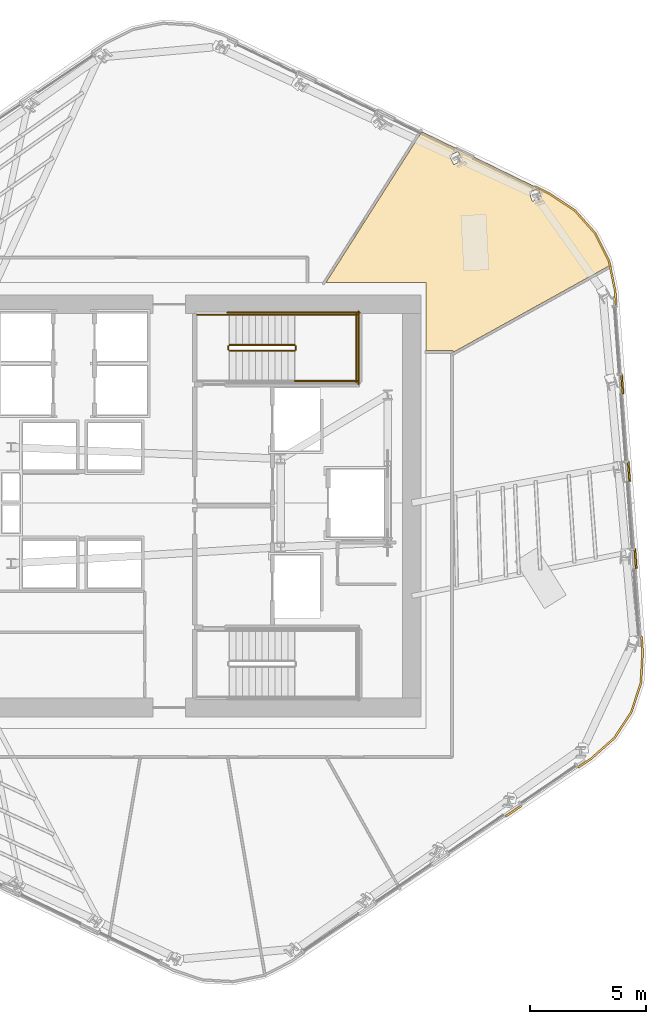
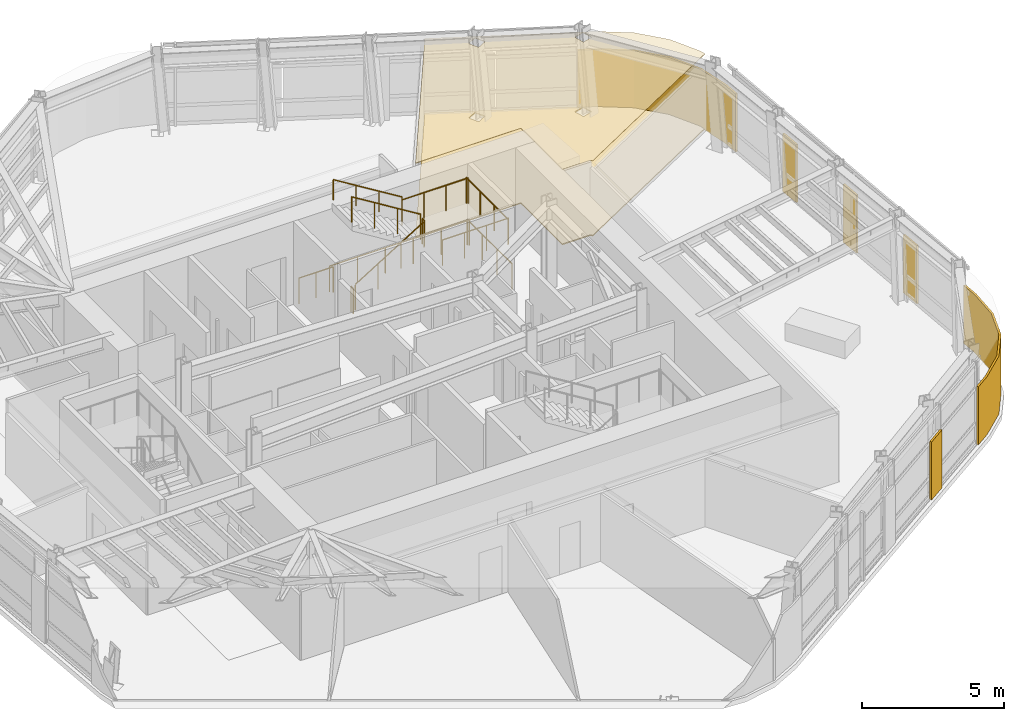
# One storey, part 13 of 15: 11 railings, 8 coverings.
"""IFC4 building model written with IfcOpenShell, lengths in metres."""

from ifc_helpers import new_model, si_unit, direction, frame, origin, origin_2d, place, context, subcontext, project, spatial, polyline, circle, outline, extrude, material, layer, layer_set, type_object, element, save


model = new_model("IFC4")

# Units and contexts
model_context = context("Model", 3, precision=1e-05, world=origin(), true_north=direction((0.0, 1.0)))
body_context = subcontext(model_context, "Body", "Model", "MODEL_VIEW")
ifc_project = project(units=[si_unit("LENGTHUNIT", "METRE"), si_unit("AREAUNIT", "SQUARE_METRE"), si_unit("VOLUMEUNIT", "CUBIC_METRE"), si_unit("PLANEANGLEUNIT", "RADIAN"), si_unit("MASSUNIT", "GRAM", prefix="KILO")], contexts=[model_context])

# Site, building, storey
site_placement = place(None, origin())
site = spatial("IfcSite", under=ifc_project, at=site_placement, CompositionType="ELEMENT")
building_placement = place(site_placement, origin())
building = spatial("IfcBuilding", under=site, at=building_placement, Name="Valkerne Bourse Tower", CompositionType="ELEMENT")
storey_placement = place(building_placement, frame((0.0, 0.0, 170.39990234375)))
storey = spatial("IfcBuildingStorey", under=building, at=storey_placement, Name="L43", CompositionType="ELEMENT", Elevation=170.39990234375)

# Coverings
ifc_material_1 = material(Name="Mineral Fiber Acoustic Ceiling Tile", Category="acoustic")
ifc_layer_1 = layer(ifc_material_1, 0.02490234375)
ifc_layer_set_1 = layer_set([ifc_layer_1], Name="Mineral Fiber Acoustic Ceiling Tile")
covering_type_1 = type_object("IfcCoveringType", Name="COV-CEIL-ACT", PredefinedType="CEILING", material=ifc_layer_set_1)
covering_1_placement = place(storey_placement, frame((0.0, 0.0, 3.22998046875)))
element("IfcCovering", 1, at=covering_1_placement, inside=storey, type_object=covering_type_1, Name="L43 Suspended Ceiling 08", PredefinedType="CEILING", context=body_context, shape_type="SweptSolid", body=[
    extrude(outline(polyline([(63.87939453125, 38.607177734375), (64.472412109375, 37.42822265625), (64.514892578125, 37.222412109375), (57.78857421875, 33.492919921875), (57.787109375, 33.516357421875), (57.775146484375, 33.54150390625), (57.7548828125, 33.5595703125), (57.724365234375, 33.56884765625), (56.60009765625, 33.569091796875), (56.60009765625, 36.5), (52.30810546875, 36.5), (56.42724609375, 42.980712890625), (61.890625, 40.322265625), (63.001708984375, 39.592529296875), (63.87939453125, 38.607177734375)]), holes=[polyline([(61.450439453125, 40.508544921875), (61.448486328125, 40.5107421875), (61.05126953125, 40.394287109375), (61.169189453125, 39.987548828125), (61.171142578125, 39.9853515625), (61.568603515625, 40.10205078125), (61.450439453125, 40.508544921875)]), polyline([(58.1748046875, 41.74853515625), (57.982177734375, 42.1259765625), (57.97998046875, 42.12744140625), (57.611572265625, 41.9384765625), (57.803955078125, 41.56103515625), (57.80615234375, 41.5595703125), (58.1748046875, 41.74853515625)])]), origin(), (0.0, 0.0, 1.0), 0.025146484375),
])
ifc_material_2 = material(Name="Bronze Anodised Aluminium AA 6063-T6", Category="aluminium")
ifc_layer_2 = layer(ifc_material_2, 0.06005859375)
ifc_layer_set_2 = layer_set([ifc_layer_2], Name="Bronze Anodised Aluminium AA 6063-T6")
covering_type_2 = type_object("IfcCoveringType", Name="COV-CRN-ALUM", PredefinedType="CLADDING", material=ifc_layer_set_2)
covering_2_placement = place(storey_placement, origin())
element("IfcCovering", 2, at=covering_2_placement, inside=storey, type_object=covering_type_2, Name="L43 Wind-Shaped Corner Aluminium Cladding 01", PredefinedType="CLADDING", context=body_context, shape_type="SweptSolid", body=[
    extrude(outline(polyline([(65.891845703125, 19.236572265625), (65.473876953125, 17.97265625), (64.742919921875, 16.860107421875), (63.744384765625, 15.97021484375), (63.17041015625, 15.58251953125), (63.12548828125, 15.648681640625), (63.695068359375, 16.03369140625), (64.681884765625, 16.912841796875), (65.401123046875, 18.0078125), (65.8125, 19.251708984375), (65.888671875, 20.5712890625), (65.836669921875, 21.2568359375), (65.91650390625, 21.2626953125), (65.968994140625, 20.572021484375), (65.891845703125, 19.236572265625)])), origin(), (0.0, 0.0, 1.0), 2.5),
])
covering_3_placement = place(storey_placement, origin())
element("IfcCovering", 3, at=covering_3_placement, inside=storey, type_object=covering_type_2, Name="L43 Wind-Shaped Corner Aluminium Cladding 02", PredefinedType="CLADDING", context=body_context, shape_type="SweptSolid", body=[
    extrude(outline(polyline([(60.0458984375, 13.470703125), (60.0009765625, 13.537109375), (60.697021484375, 14.00732421875), (60.741943359375, 13.941162109375), (60.0458984375, 13.470703125)])), origin(), (0.0, 0.0, 1.0), 2.5),
])
covering_4_placement = place(storey_placement, origin())
element("IfcCovering", 4, at=covering_4_placement, inside=storey, type_object=covering_type_2, Name="L43 Wind-Shaped Corner Aluminium Cladding 21", PredefinedType="CLADDING", context=body_context, shape_type="SweptSolid", body=[
    extrude(outline(polyline([(61.91259765625, 40.360595703125), (63.03076171875, 39.6259765625), (63.916259765625, 38.632080078125), (64.51416015625, 37.44287109375), (64.78564453125, 36.1328125), (64.836181640625, 35.465576171875), (64.756591796875, 35.459716796875), (64.706298828125, 36.12158203125), (64.43798828125, 37.41650390625), (63.849365234375, 38.5869140625), (62.97802734375, 39.56494140625), (61.872802734375, 40.291015625), (61.27587890625, 40.581298828125), (61.310791015625, 40.6533203125), (61.91259765625, 40.360595703125)])), origin(), (0.0, 0.0, 1.0), 2.5),
])
covering_5_placement = place(storey_placement, origin())
element("IfcCovering", 5, at=covering_5_placement, inside=storey, type_object=covering_type_2, Name="L43 Wind-Shaped Corner Aluminium Cladding 22", PredefinedType="CLADDING", context=body_context, shape_type="SweptSolid", body=[
    extrude(outline(polyline([(65.122314453125, 31.70556640625), (65.04248046875, 31.69970703125), (64.978759765625, 32.537353515625), (65.05859375, 32.543212890625), (65.122314453125, 31.70556640625)])), origin(), (0.0, 0.0, 1.0), 2.5),
])
covering_6_placement = place(storey_placement, origin())
element("IfcCovering", 6, at=covering_6_placement, inside=storey, type_object=covering_type_2, Name="L43 Wind-Shaped Corner Aluminium Cladding 23", PredefinedType="CLADDING", context=body_context, shape_type="SweptSolid", body=[
    extrude(outline(polyline([(65.408203125, 27.9453125), (65.328369140625, 27.939453125), (65.2646484375, 28.777099609375), (65.344482421875, 28.782958984375), (65.408203125, 27.9453125)])), origin(), (0.0, 0.0, 1.0), 2.5),
])
covering_7_placement = place(storey_placement, origin())
element("IfcCovering", 7, at=covering_7_placement, inside=storey, type_object=covering_type_2, Name="L43 Wind-Shaped Corner Aluminium Cladding 24", PredefinedType="CLADDING", context=body_context, shape_type="SweptSolid", body=[
    extrude(outline(polyline([(65.694091796875, 24.185302734375), (65.6142578125, 24.17919921875), (65.550537109375, 25.01708984375), (65.63037109375, 25.022705078125), (65.694091796875, 24.185302734375)])), origin(), (0.0, 0.0, 1.0), 2.5),
])
ifc_material_3 = material(Name="Galvanised Painted Steel", Category="steel")
ifc_layer_3 = layer(ifc_material_3, 0.044921875)
ifc_layer_set_3 = layer_set([ifc_layer_3], Name="Galvanised Painted Steel")
covering_type_3 = type_object("IfcCoveringType", Name="COV-FLR-RAF", PredefinedType="FLOORING", material=ifc_layer_set_3)
covering_8_placement = place(storey_placement, origin())
element("IfcCovering", 8, at=covering_8_placement, inside=storey, type_object=covering_type_3, Name="L43 Floor Finish 08", PredefinedType="FLOORING", context=body_context, shape_type="SweptSolid", body=[
    extrude(outline(polyline([(63.87939453125, 38.607177734375), (64.472412109375, 37.42822265625), (64.514892578125, 37.222412109375), (57.78857421875, 33.492919921875), (57.787109375, 33.516357421875), (57.775146484375, 33.54150390625), (57.7548828125, 33.5595703125), (57.724365234375, 33.56884765625), (56.60009765625, 33.569091796875), (56.60009765625, 36.5), (52.30810546875, 36.5), (56.42724609375, 42.980712890625), (61.890625, 40.322265625), (63.001708984375, 39.592529296875), (63.87939453125, 38.607177734375)]), holes=[polyline([(61.450439453125, 40.508544921875), (61.448486328125, 40.5107421875), (61.05126953125, 40.394287109375), (61.169189453125, 39.987548828125), (61.171142578125, 39.9853515625), (61.568603515625, 40.10205078125), (61.450439453125, 40.508544921875)]), polyline([(58.1748046875, 41.74853515625), (57.982177734375, 42.1259765625), (57.97998046875, 42.12744140625), (57.611572265625, 41.9384765625), (57.803955078125, 41.56103515625), (57.80615234375, 41.5595703125), (58.1748046875, 41.74853515625)])]), origin(), (0.0, 0.0, 1.0), 0.045166015625),
])

# Railings
railing_type_1 = type_object("IfcRailingType", Name="RLG-ST-GUARD-1120", PredefinedType="GUARDRAIL", material=ifc_material_3)
railing_1_placement = place(storey_placement, frame((48.14990234375, 33.550048828125, 0.1728515625)))
element("IfcRailing", 9, at=railing_1_placement, inside=storey, type_object=railing_type_1, Name="L43 ST-2 stair guard 1", PredefinedType="GUARDRAIL", context=body_context, shape_type="SweptSolid", body=[
    extrude(circle(Radius=0.02392578125, at=origin_2d()), frame((0.0, 0.0, 1.09619140625), z_axis=(0.851089632645, 0.0, 0.525020415988), x_axis=(0.0, 1.0, 0.0)), (0.0, 0.0, 1.0), 3.2900390625),
    extrude(circle(Radius=0.02099609375, at=origin_2d()), origin(), (0.0, 0.0, 1.0), 1.072021484375),
    extrude(circle(Radius=0.02099609375, at=origin_2d()), frame((0.933349609375, 0.0, 0.57568359375)), (0.0, 0.0, 1.0), 1.072021484375),
    extrude(circle(Radius=0.02099609375, at=origin_2d()), frame((1.86669921875, 0.0, 1.151611328125)), (0.0, 0.0, 1.0), 1.072021484375),
    extrude(circle(Radius=0.02099609375, at=origin_2d()), frame((2.800048828125, 0.0, 1.727294921875)), (0.0, 0.0, 1.0), 1.072021484375),
])
railing_2_placement = place(storey_placement, frame((51.0, 33.60009765625, 1.900146484375)))
element("IfcRailing", 10, at=railing_2_placement, inside=storey, type_object=railing_type_1, Name="L43 ST-2 stair guard 2", PredefinedType="GUARDRAIL", context=body_context, shape_type="SweptSolid", body=[
    extrude(circle(Radius=0.02392578125, at=origin_2d()), frame((0.0, 0.0, 1.09619140625), z_axis=(0.0, 1.0, 0.0), x_axis=(-1.0, 0.0, 0.0)), (0.0, 0.0, 1.0), 0.14990234375),
    extrude(circle(Radius=0.02099609375, at=origin_2d()), origin(), (0.0, 0.0, 1.0), 1.072021484375),
    extrude(circle(Radius=0.02099609375, at=origin_2d()), frame((0.0, 0.14990234375, 0.0)), (0.0, 0.0, 1.0), 1.072021484375),
])
for number, where, name in (
    (11, (50.949951171875, 32.25, 1.900146484375), "L43 ST-2 stair guard 3"),
    (12, (50.949951171875, 35.10009765625, 1.900146484375), "L43 ST-2 stair guard 4"),
):
    element("IfcRailing", number, at=place(storey_placement, frame(where)), inside=storey, type_object=railing_type_1, Name=name, PredefinedType="GUARDRAIL", context=body_context, shape_type="SweptSolid", body=[
        extrude(circle(Radius=0.02392578125, at=origin_2d()), frame((0.0, 0.0, 1.09619140625), z_axis=(1.0, 0.0, 0.0), x_axis=(0.0, 1.0, 0.0)), (0.0, 0.0, 1.0), 2.699951171875),
        extrude(circle(Radius=0.02099609375, at=origin_2d()), origin(), (0.0, 0.0, 1.0), 1.072021484375),
        extrude(circle(Radius=0.02099609375, at=origin_2d()), frame((0.89990234375, 0.0, 0.0)), (0.0, 0.0, 1.0), 1.072021484375),
        extrude(circle(Radius=0.02099609375, at=origin_2d()), frame((1.800048828125, 0.0, 0.0)), (0.0, 0.0, 1.0), 1.072021484375),
        extrude(circle(Radius=0.02099609375, at=origin_2d()), frame((2.699951171875, 0.0, 0.0)), (0.0, 0.0, 1.0), 1.072021484375),
    ])
railing_3_placement = place(storey_placement, frame((53.60009765625, 32.199951171875, 1.900146484375)))
element("IfcRailing", 13, at=railing_3_placement, inside=storey, type_object=railing_type_1, Name="L43 ST-2 stair guard 5", PredefinedType="GUARDRAIL", context=body_context, shape_type="SweptSolid", body=[
    extrude(circle(Radius=0.02392578125, at=origin_2d()), frame((0.0, 0.0, 1.09619140625), z_axis=(0.0, 1.0, 0.0), x_axis=(-1.0, 0.0, 0.0)), (0.0, 0.0, 1.0), 2.949951171875),
    extrude(circle(Radius=0.02099609375, at=origin_2d()), origin(), (0.0, 0.0, 1.0), 1.072021484375),
    extrude(circle(Radius=0.02099609375, at=origin_2d()), frame((0.0, 0.9833984375, 0.0)), (0.0, 0.0, 1.0), 1.072021484375),
    extrude(circle(Radius=0.02099609375, at=origin_2d()), frame((0.0, 1.966552734375, 0.0)), (0.0, 0.0, 1.0), 1.072021484375),
    extrude(circle(Radius=0.02099609375, at=origin_2d()), frame((0.0, 2.949951171875, 0.0)), (0.0, 0.0, 1.0), 1.072021484375),
])
railing_4_placement = place(storey_placement, frame((50.949951171875, 33.800048828125, 2.07275390625)))
element("IfcRailing", 14, at=railing_4_placement, inside=storey, type_object=railing_type_1, Name="L43 ST-2 stair guard 6", PredefinedType="GUARDRAIL", context=body_context, shape_type="SweptSolid", body=[
    extrude(circle(Radius=0.02392578125, at=origin_2d()), frame((0.0, 0.0, 1.09619140625), z_axis=(-0.851089632645, 0.0, 0.525020415988), x_axis=(0.0, -1.0, 0.0)), (0.0, 0.0, 1.0), 3.2900390625),
    extrude(circle(Radius=0.02099609375, at=origin_2d()), origin(), (0.0, 0.0, 1.0), 1.072021484375),
    extrude(circle(Radius=0.02099609375, at=origin_2d()), frame((-0.933349609375, 0.0, 0.57568359375)), (0.0, 0.0, 1.0), 1.072021484375),
    extrude(circle(Radius=0.02099609375, at=origin_2d()), frame((-1.86669921875, 0.0, 1.151611328125)), (0.0, 0.0, 1.0), 1.072021484375),
    extrude(circle(Radius=0.02099609375, at=origin_2d()), frame((-2.800048828125, 0.0, 1.727294921875)), (0.0, 0.0, 1.0), 1.072021484375),
])
railing_5_placement = place(storey_placement, frame((48.10009765625, 33.60009765625, 0.0)))
element("IfcRailing", 15, at=railing_5_placement, inside=storey, type_object=railing_type_1, Name="L43 ST-2 stair guard 7", PredefinedType="GUARDRAIL", context=body_context, shape_type="SweptSolid", body=[
    extrude(circle(Radius=0.02392578125, at=origin_2d()), frame((0.0, 0.0, 1.09619140625), z_axis=(0.0, 1.0, 0.0), x_axis=(-1.0, 0.0, 0.0)), (0.0, 0.0, 1.0), 0.14990234375),
    extrude(circle(Radius=0.02099609375, at=origin_2d()), origin(), (0.0, 0.0, 1.0), 1.072021484375),
    extrude(circle(Radius=0.02099609375, at=origin_2d()), frame((0.0, 0.14990234375, 0.0)), (0.0, 0.0, 1.0), 1.072021484375),
])
railing_6_placement = place(storey_placement, frame((46.75, 35.10009765625, 0.0)))
element("IfcRailing", 16, at=railing_6_placement, inside=storey, type_object=railing_type_1, Name="L43 ST-2 stair guard 9", PredefinedType="GUARDRAIL", context=body_context, shape_type="SweptSolid", body=[
    extrude(circle(Radius=0.02392578125, at=origin_2d()), frame((0.0, 0.0, 1.09619140625), z_axis=(1.0, 0.0, 0.0), x_axis=(0.0, 1.0, 0.0)), (0.0, 0.0, 1.0), 1.39990234375),
    extrude(circle(Radius=0.02099609375, at=origin_2d()), origin(), (0.0, 0.0, 1.0), 1.072021484375),
    extrude(circle(Radius=0.02099609375, at=origin_2d()), frame((0.699951171875, 0.0, 0.0)), (0.0, 0.0, 1.0), 1.072021484375),
    extrude(circle(Radius=0.02099609375, at=origin_2d()), frame((1.39990234375, 0.0, 0.0)), (0.0, 0.0, 1.0), 1.072021484375),
])
railing_7_placement = place(storey_placement, frame((48.050048828125, 35.199951171875, 0.0)))
element("IfcRailing", 17, at=railing_7_placement, inside=storey, type_object=railing_type_1, Name="L43 ST-2 stair guard 11", PredefinedType="GUARDRAIL", context=body_context, shape_type="SweptSolid", body=[
    extrude(circle(Radius=0.02392578125, at=origin_2d()), frame((0.0, 0.0, 1.09619140625), z_axis=(1.0, 0.0, 0.0), x_axis=(0.0, 1.0, 0.0)), (0.0, 0.0, 1.0), 5.699951171875),
    extrude(circle(Radius=0.02099609375, at=origin_2d()), origin(), (0.0, 0.0, 1.0), 1.072021484375),
    extrude(circle(Radius=0.02099609375, at=origin_2d()), frame((1.139892578125, 0.0, 0.0)), (0.0, 0.0, 1.0), 1.072021484375),
    extrude(circle(Radius=0.02099609375, at=origin_2d()), frame((2.280029296875, 0.0, 0.0)), (0.0, 0.0, 1.0), 1.072021484375),
    extrude(circle(Radius=0.02099609375, at=origin_2d()), frame((3.419921875, 0.0, 0.0)), (0.0, 0.0, 1.0), 1.072021484375),
    extrude(circle(Radius=0.02099609375, at=origin_2d()), frame((4.56005859375, 0.0, 0.0)), (0.0, 0.0, 1.0), 1.072021484375),
    extrude(circle(Radius=0.02099609375, at=origin_2d()), frame((5.699951171875, 0.0, 0.0)), (0.0, 0.0, 1.0), 1.072021484375),
])
railing_8_placement = place(storey_placement, frame((53.699951171875, 32.10009765625, 0.0)))
element("IfcRailing", 18, at=railing_8_placement, inside=storey, type_object=railing_type_1, Name="L43 ST-2 stair guard 12", PredefinedType="GUARDRAIL", context=body_context, shape_type="SweptSolid", body=[
    extrude(circle(Radius=0.02392578125, at=origin_2d()), frame((0.0, 0.0, 1.09619140625), z_axis=(0.0, 1.0, 0.0), x_axis=(-1.0, 0.0, 0.0)), (0.0, 0.0, 1.0), 3.14990234375),
    extrude(circle(Radius=0.02099609375, at=origin_2d()), origin(), (0.0, 0.0, 1.0), 1.072021484375),
    extrude(circle(Radius=0.02099609375, at=origin_2d()), frame((0.0, 1.050048828125, 0.0)), (0.0, 0.0, 1.0), 1.072021484375),
    extrude(circle(Radius=0.02099609375, at=origin_2d()), frame((0.0, 2.099853515625, 0.0)), (0.0, 0.0, 1.0), 1.072021484375),
    extrude(circle(Radius=0.02099609375, at=origin_2d()), frame((0.0, 3.14990234375, 0.0)), (0.0, 0.0, 1.0), 1.072021484375),
])
ifc_material_4 = material(Name="Stainless Steel AISI 316", Category="steel")
railing_type_2 = type_object("IfcRailingType", Name="RLG-ST-HANDRAIL-900", PredefinedType="HANDRAIL", material=ifc_material_4)
railing_9_placement = place(storey_placement, frame((50.949951171875, 35.10009765625, 2.24560546875)))
element("IfcRailing", 19, at=railing_9_placement, inside=storey, type_object=railing_type_2, Name="L43 ST-2 stair handrail 2", PredefinedType="HANDRAIL", context=body_context, shape_type="SweptSolid", body=[
    extrude(circle(Radius=0.02392578125, at=origin_2d()), frame((0.0, 0.0, 0.8759765625), z_axis=(-0.851089632645, 0.0, 0.525020415988), x_axis=(0.0, -1.0, 0.0)), (0.0, 0.0, 1.0), 3.2900390625),
    extrude(circle(Radius=0.02099609375, at=origin_2d()), origin(), (0.0, 0.0, 1.0), 0.851806640625),
    extrude(circle(Radius=0.02099609375, at=origin_2d()), frame((-0.933349609375, 0.0, 0.57568359375)), (0.0, 0.0, 1.0), 0.851806640625),
    extrude(circle(Radius=0.02099609375, at=origin_2d()), frame((-1.86669921875, 0.0, 1.151611328125)), (0.0, 0.0, 1.0), 0.851806640625),
    extrude(circle(Radius=0.02099609375, at=origin_2d()), frame((-2.800048828125, 0.0, 1.727294921875)), (0.0, 0.0, 1.0), 0.851806640625),
])

save(model, "model.ifc")
